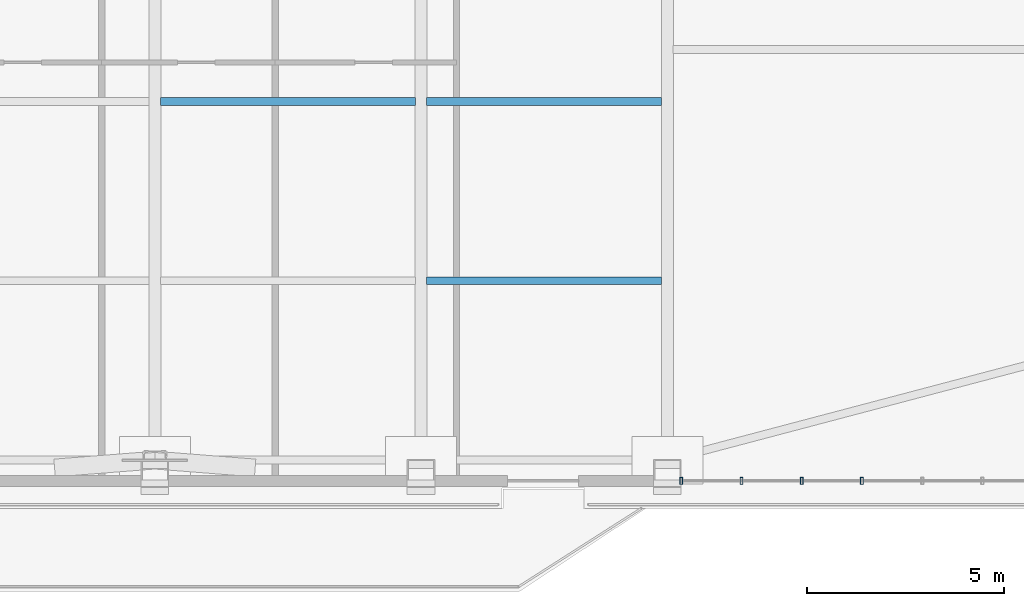
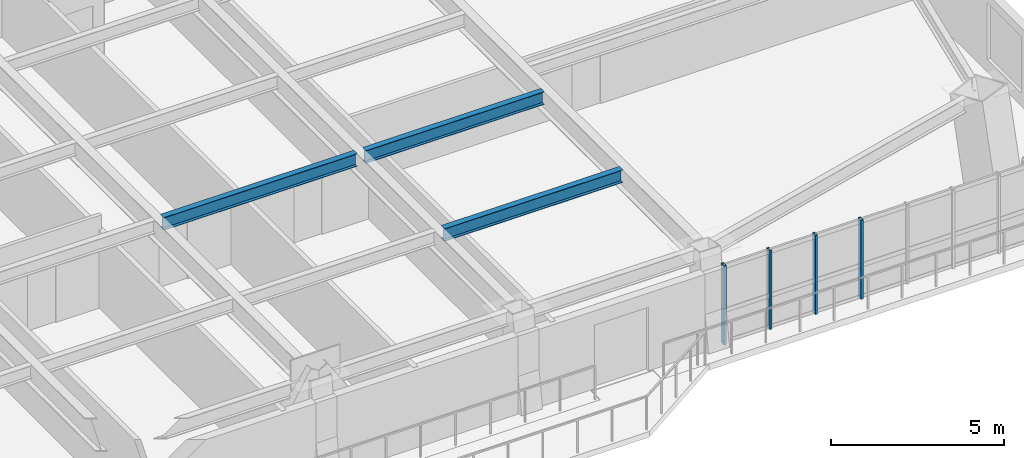
# One storey, part 4 of 15: 4 members, 3 beams, 1 element without a shape of its own.
"""IFC4 building model written with IfcOpenShell, lengths in metres."""

import ifcopenshell
import ifcopenshell.guid

model = None  # the IFC model being written
_history = None  # IfcOwnerHistory: only IFC2X3 demands one
_inside = {}  # id of a spatial element -> (the spatial element, [elements in it])
_under = {}  # id of a project, library or spatial element -> (it, [spatial elements below it])
_declared = {}  # id of a project -> (the project, [libraries it declares])
_typed = {}  # id of a type object -> (the type object, [elements of that type])
_made_of = {}  # id of a material, layer set ... -> (it, [elements and type objects made of it])


def new_model(schema):
    """Start an empty IFC model of exactly this schema.

    Asked for "IFC4X3", IfcOpenShell would pick the latest addendum, in which some entities
    have other attributes; the version numbers below select the first issue.
    IFC2X3 requires an IfcOwnerHistory on every rooted entity: one is made here for all.
    """
    global model, _history
    if schema == "IFC4X3":
        model = ifcopenshell.file(schema_version=(4, 3, 0, 0))
    else:
        model = ifcopenshell.file(schema=schema)
    _inside.clear()
    _under.clear()
    _declared.clear()
    _typed.clear()
    _made_of.clear()
    _history = None
    if model.schema == "IFC2X3":
        org = make("IfcOrganization", Name="unknown")
        user = make(
            "IfcPersonAndOrganization",
            ThePerson=make("IfcPerson", FamilyName="unknown"),
            TheOrganization=org,
        )
        app = make(
            "IfcApplication",
            ApplicationDeveloper=org,
            Version="unknown",
            ApplicationFullName="unknown",
            ApplicationIdentifier="unknown",
        )
        _history = make(
            "IfcOwnerHistory",
            OwningUser=user,
            OwningApplication=app,
            ChangeAction="ADDED",
            CreationDate=0,
        )
    return model


def make(cls, **values):
    """One entity of the class cls with the attributes given. An attribute that is None is left unset."""
    return model.create_entity(
        cls, **{name: value for name, value in values.items() if value is not None}
    )


def rooted(cls, **values):
    """An entity with a GlobalId (a new one), such as an element, a storey or a relation."""
    return make(cls, GlobalId=ifcopenshell.guid.new(), OwnerHistory=_history, **values)


def si_unit(unit_type, name, prefix=None):
    """IfcSIUnit, for example si_unit("LENGTHUNIT", "METRE", prefix="MILLI")."""
    return make("IfcSIUnit", UnitType=unit_type, Prefix=prefix, Name=name)


def assignment(units):
    """IfcUnitAssignment: the units of a project."""
    return None if units is None else make("IfcUnitAssignment", Units=units)


def point(xyz):
    """IfcCartesianPoint."""
    return None if xyz is None else make("IfcCartesianPoint", Coordinates=xyz)


def direction(xyz):
    """IfcDirection."""
    return None if xyz is None else make("IfcDirection", DirectionRatios=xyz)


def frame(location, z_axis=None, x_axis=None):
    """IfcAxis2Placement3D, a coordinate frame: its origin and axes. An axis left out is left unset."""
    return make(
        "IfcAxis2Placement3D",
        Location=point(location),
        Axis=direction(z_axis),
        RefDirection=direction(x_axis),
    )


def frame_2d(location, x_axis=None):
    """IfcAxis2Placement2D, a coordinate frame in the plane: its origin and x axis."""
    return make(
        "IfcAxis2Placement2D", Location=point(location), RefDirection=direction(x_axis)
    )


def origin():
    """The frame at (0, 0, 0) with its axes left unset."""
    return frame((0.0, 0.0, 0.0))


def origin_2d():
    """The frame at (0, 0) in the plane with its x axis left unset."""
    return frame_2d((0.0, 0.0))


def place(relative_to, where):
    """IfcLocalPlacement: puts the frame where relative to a parent placement (None: the world)."""
    return make(
        "IfcLocalPlacement", PlacementRelTo=relative_to, RelativePlacement=where
    )


def context(
    kind, dimensions, precision=None, world=None, true_north=None, identifier=None
):
    """IfcGeometricRepresentationContext, for example the 3D "Model" context."""
    return make(
        "IfcGeometricRepresentationContext",
        ContextIdentifier=identifier,
        ContextType=kind,
        CoordinateSpaceDimension=dimensions,
        Precision=precision,
        WorldCoordinateSystem=world,
        TrueNorth=true_north,
    )


def subcontext(parent, identifier, kind, view, scale=None):
    """IfcGeometricRepresentationSubContext, for example "Body" below "Model"."""
    return make(
        "IfcGeometricRepresentationSubContext",
        ContextIdentifier=identifier,
        ContextType=kind,
        ParentContext=parent,
        TargetScale=scale,
        TargetView=view,
    )


def project(units=None, contexts=None):
    """IfcProject with its units and contexts."""
    return rooted(
        "IfcProject",
        Name="project",
        RepresentationContexts=contexts,
        UnitsInContext=assignment(units),
    )


def spatial(cls, under=None, at=None, **own):
    """A site, building, storey or space (cls), placed at a placement, below another one or the project."""
    s = rooted(cls, ObjectPlacement=at, **own)
    if under is not None:
        _under.setdefault(under.id(), (under, []))[1].append(s)
    return s


def profile(cls, at=None, kind="AREA", **sizes):
    """A parametric profile (cls). Its sizes go by their IFC names, for example OverallWidth=200.0."""
    return make(cls, ProfileType=kind, Position=at, **sizes)


def hollow_rectangle(**sizes):
    """IfcRectangleHollowProfileDef."""
    return profile("IfcRectangleHollowProfileDef", **sizes)


def i_section(**sizes):
    """IfcIShapeProfileDef."""
    return profile("IfcIShapeProfileDef", **sizes)


def extrude(swept, where, along, depth):
    """IfcExtrudedAreaSolid: the profile swept, set in the frame where, extruded along a direction by depth."""
    return make(
        "IfcExtrudedAreaSolid",
        SweptArea=swept,
        Position=where,
        ExtrudedDirection=direction(along),
        Depth=depth,
    )


def shape(context_of_items, identifier, shape_type, items):
    """IfcShapeRepresentation: the items that make up one representation, for example the "Body"."""
    return make(
        "IfcShapeRepresentation",
        ContextOfItems=context_of_items,
        RepresentationIdentifier=identifier,
        RepresentationType=shape_type,
        Items=items,
    )


def source(mapping_origin, context_of_items, identifier, shape_type, items):
    """IfcRepresentationMap: a shape defined once, which mapped items show again and again."""
    return make(
        "IfcRepresentationMap",
        MappingOrigin=mapping_origin,
        MappedRepresentation=shape(context_of_items, identifier, shape_type, items),
    )


def transform(
    local_origin,
    x_axis=None,
    y_axis=None,
    z_axis=None,
    scale=None,
    scale2=None,
    scale3=None,
    uniform=True,
):
    """IfcCartesianTransformationOperator3D, or its non-uniform kind. x_axis, y_axis, z_axis: its Axis1, 2, 3."""
    if uniform:
        return make(
            "IfcCartesianTransformationOperator3D",
            Axis1=direction(x_axis),
            Axis2=direction(y_axis),
            LocalOrigin=point(local_origin),
            Scale=scale,
            Axis3=direction(z_axis),
        )
    return make(
        "IfcCartesianTransformationOperator3DnonUniform",
        Axis1=direction(x_axis),
        Axis2=direction(y_axis),
        LocalOrigin=point(local_origin),
        Scale=scale,
        Axis3=direction(z_axis),
        Scale2=scale2,
        Scale3=scale3,
    )


def mapped(mapping_source, mapping_target):
    """IfcMappedItem: shows the shape of a source again, moved by a transform."""
    return make(
        "IfcMappedItem", MappingSource=mapping_source, MappingTarget=mapping_target
    )


def material(Name=None, Category=None):
    """IfcMaterial."""
    return make("IfcMaterial", Name=Name, Category=Category)


def layer(
    of_material, thickness, ventilated=None, Name=None, Category=None, Priority=None
):
    """IfcMaterialLayer: one layer of a wall or slab, of a material (None: an air gap)."""
    return make(
        "IfcMaterialLayer",
        Material=of_material,
        LayerThickness=thickness,
        IsVentilated=ventilated,
        Name=Name,
        Category=Category,
        Priority=Priority,
    )


def layer_set(layers, Name=None):
    """IfcMaterialLayerSet."""
    return make("IfcMaterialLayerSet", MaterialLayers=layers, LayerSetName=Name)


def material_profile(
    of_material, cross_section, Name=None, Category=None, Priority=None
):
    """IfcMaterialProfile: a cross section and its material."""
    return make(
        "IfcMaterialProfile",
        Name=Name,
        Material=of_material,
        Profile=cross_section,
        Priority=Priority,
        Category=Category,
    )


def profile_set(profiles, Name=None, composite=None):
    """IfcMaterialProfileSet."""
    return make(
        "IfcMaterialProfileSet",
        Name=Name,
        MaterialProfiles=profiles,
        CompositeProfile=composite,
    )


def made_of(thing, what):
    """Note that an element or type object is made of a material, layer set ...; save() writes the relation."""
    if what is not None:
        _made_of.setdefault(what.id(), (what, []))[1].append(thing)
    return thing


def type_object(cls, material=None, **own):
    """A type object (cls), such as IfcWallType, which elements share."""
    return made_of(rooted(cls, **own), material)


def element(
    cls,
    number,
    at=None,
    inside=None,
    cuts=None,
    type_object=None,
    material=None,
    context=None,
    identifier="Body",
    shape_type=None,
    held_by="IfcProductDefinitionShape",
    body=None,
    shapes=None,
    **own,
):
    """One element of the class cls, such as IfcWall. Its Tag is "e" and its number.

    at: its placement. inside: the storey or other place that contains it. cuts: it is an
    opening in that element (IfcRelVoidsElement). A single representation is given by context,
    identifier, shape_type and body (its items); several are given by shapes. held_by: the class
    of the entity that holds the representations. save() writes the other relations.
    """
    e = rooted(cls, Tag="e%d" % number, ObjectPlacement=at, **own)
    if body is not None:
        shapes = [shape(context, identifier, shape_type, body)]
    if shapes is not None:
        e.Representation = make(held_by, Representations=shapes)
    if inside is not None:
        _inside.setdefault(inside.id(), (inside, []))[1].append(e)
    if cuts is not None:
        rooted(
            "IfcRelVoidsElement", RelatingBuildingElement=cuts, RelatedOpeningElement=e
        )
    if type_object is not None:
        _typed.setdefault(type_object.id(), (type_object, []))[1].append(e)
    return made_of(e, material)


def aggregate(whole, parts):
    """IfcRelAggregates: a whole, such as a stair, and the parts it consists of."""
    return rooted("IfcRelAggregates", RelatingObject=whole, RelatedObjects=parts)


def save(model, path):
    """Write the relations noted so far, then the file.

    IfcRelAggregates (storeys below a building ...), IfcRelContainedInSpatialStructure (elements
    in a storey), IfcRelDefinesByType, IfcRelAssociatesMaterial and IfcRelDeclares: one each for
    every whole, place, type object, material and project.
    """
    for whole, parts in _under.values():
        aggregate(whole, parts)
    for where, things in _inside.values():
        rooted(
            "IfcRelContainedInSpatialStructure",
            RelatedElements=things,
            RelatingStructure=where,
        )
    for kind, things in _typed.values():
        rooted("IfcRelDefinesByType", RelatedObjects=things, RelatingType=kind)
    for what, things in _made_of.values():
        rooted("IfcRelAssociatesMaterial", RelatedObjects=things, RelatingMaterial=what)
    for by, libraries in _declared.values():
        rooted("IfcRelDeclares", RelatingContext=by, RelatedDefinitions=libraries)
    model.write(path)


model = new_model("IFC4")

# Units and contexts
model_context = context("Model", 3, precision=1e-05, world=origin(), true_north=direction((0.0, 1.0)))
body_context = subcontext(model_context, "Body", "Model", "MODEL_VIEW")
ifc_project = project(units=[si_unit("LENGTHUNIT", "METRE"), si_unit("AREAUNIT", "SQUARE_METRE"), si_unit("VOLUMEUNIT", "CUBIC_METRE"), si_unit("PLANEANGLEUNIT", "RADIAN"), si_unit("MASSUNIT", "GRAM", prefix="KILO")], contexts=[model_context])

# Site, building, storey
site_placement = place(None, origin())
site = spatial("IfcSite", under=ifc_project, at=site_placement, CompositionType="ELEMENT")
building_placement = place(site_placement, origin())
building = spatial("IfcBuilding", under=site, at=building_placement, Name="Giltprow Tower", CompositionType="ELEMENT")
storey_placement = place(building_placement, frame((0.0, 0.0, 177.199951171875)))
storey = spatial("IfcBuildingStorey", under=building, at=storey_placement, Name="L44", CompositionType="ELEMENT", Elevation=177.199951171875)

# Beams
ifc_material_1 = material(Name="Structural steel Q355B", Category="steel")
ifc_material_profile_1 = material_profile(ifc_material_1, i_section(OverallWidth=0.199951171875, OverallDepth=0.449951171875, WebThickness=0.009033203125, FlangeThickness=0.013916015625, at=origin_2d()), Name="HN 450x200x9x14")
ifc_profile_set_1 = profile_set([ifc_material_profile_1], Name="Structural steel Q355B")
beam_type = type_object("IfcBeamType", Name="BM-JOIST-HN450", PredefinedType="JOIST", material=ifc_profile_set_1)
shared_shape_1 = source(origin(), body_context, "Body", "SweptSolid", [
    extrude(i_section(OverallWidth=0.199951171875, OverallDepth=0.449951171875, WebThickness=0.009033203125, FlangeThickness=0.013916015625, at=origin_2d()), origin(), (0.0, 0.0, 1.0), 6.4599609375),
])
beam_placement = place(storey_placement, frame((37.695068359375, 19.2529296875, 3.045166015625), z_axis=(1.0, 0.0, 0.0), x_axis=(0.0, 1.0, 0.0)))
element("IfcBeam", 1, at=beam_placement, inside=storey, type_object=beam_type, Name="L44 Composite Floor Joist 2-3", PredefinedType="JOIST", context=body_context, shape_type="MappedRepresentation", body=[
    mapped(shared_shape_1, transform((0.0, 0.0, 0.0), x_axis=(1.0, 0.0, 0.0), y_axis=(0.0, 1.0, 0.0), z_axis=(0.0, 0.0, 1.0), scale=1.0)),
])
shared_shape_2 = source(origin(), body_context, "Body", "SweptSolid", [
    extrude(i_section(OverallWidth=0.199951171875, OverallDepth=0.449951171875, WebThickness=0.009033203125, FlangeThickness=0.013916015625, at=origin_2d()), origin(), (0.0, 0.0, 1.0), 5.9599609375),
])
for number, where, z_axis, x_axis, name in (
    (2, (44.445068359375, 14.702880859375, 3.045166015625), (1.0, 0.0, 0.0), (0.0, 1.0, 0.0), "L44 Composite Floor Joist 1-4"),
    (3, (44.445068359375, 19.2529296875, 3.045166015625), (1.0, 0.0, 0.0), (0.0, 1.0, 0.0), "L44 Composite Floor Joist 2-4"),
):
    element("IfcBeam", number, at=place(storey_placement, frame(where, z_axis=z_axis, x_axis=x_axis)), inside=storey, type_object=beam_type, Name=name, PredefinedType="JOIST", context=body_context, shape_type="MappedRepresentation", body=[
        mapped(shared_shape_2, transform((0.0, 0.0, 0.0), x_axis=(1.0, 0.0, 0.0), y_axis=(0.0, 1.0, 0.0), z_axis=(0.0, 0.0, 1.0), scale=1.0)),
    ])

# Curtain wall, members
ifc_material_2 = material(Name="Anodized bronze", Category="metal")
ifc_layer = layer(ifc_material_2, 0.179931640625, Name="Anodized bronze")
ifc_layer_set = layer_set([ifc_layer], Name="Anodized bronze")
curtain_wall_type = type_object("IfcCurtainWallType", Name="CW-HTL-BRONZE", PredefinedType="NOTDEFINED", material=ifc_layer_set)
curtain_wall_placement = place(storey_placement, origin())
curtain_wall = element("IfcCurtainWall", 4, at=curtain_wall_placement, inside=storey, type_object=curtain_wall_type, Name="L44 South Recessed Curtain Wall 6", PredefinedType="NOTDEFINED")
ifc_material_profile_2 = material_profile(ifc_material_2, hollow_rectangle(XDim=0.074951171875, YDim=0.179931640625, WallThickness=0.008056640625, at=origin_2d()), Name="RHS 180x75x8")
ifc_profile_set_2 = profile_set([ifc_material_profile_2], Name="Anodized bronze")
member_type = type_object("IfcMemberType", Name="CW-MULLION-180x75", PredefinedType="MULLION", material=ifc_profile_set_2)
shared_shape_3 = source(origin(), body_context, "Body", "SweptSolid", [
    extrude(hollow_rectangle(XDim=0.074951171875, YDim=0.179931640625, WallThickness=0.008056640625, at=origin_2d()), origin(), (0.0, 0.0, 1.0), 2.80517578125),
])
member_1_placement = place(storey_placement, frame((50.89990234375, 9.6259765625, -0.02001953125), z_axis=(0.0, 0.0, 1.0), x_axis=(1.0, 0.0, 0.0)))
member_1 = element("IfcMember", 5, at=member_1_placement, type_object=member_type, Name="L44 South Recessed Curtain Wall 6 Mullion 1", PredefinedType="MULLION", context=body_context, shape_type="MappedRepresentation", body=[
    mapped(shared_shape_3, transform((0.0, 0.0, 0.0), x_axis=(1.0, 0.0, 0.0), y_axis=(0.0, 1.0, 0.0), z_axis=(0.0, 0.0, 1.0), scale=1.0)),
])
member_2_placement = place(storey_placement, frame((52.427978515625, 9.6259765625, -0.02001953125), z_axis=(0.0, 0.0, 1.0), x_axis=(1.0, 0.0, 0.0)))
member_2 = element("IfcMember", 6, at=member_2_placement, type_object=member_type, Name="L44 South Recessed Curtain Wall 6 Mullion 2", PredefinedType="MULLION", context=body_context, shape_type="MappedRepresentation", body=[
    mapped(shared_shape_3, transform((0.0, 0.0, 0.0), x_axis=(1.0, 0.0, 0.0), y_axis=(0.0, 1.0, 0.0), z_axis=(0.0, 0.0, 1.0), scale=1.0)),
])
member_3_placement = place(storey_placement, frame((53.955078125, 9.6259765625, -0.02001953125), z_axis=(0.0, 0.0, 1.0), x_axis=(1.0, 0.0, 0.0)))
member_3 = element("IfcMember", 7, at=member_3_placement, type_object=member_type, Name="L44 South Recessed Curtain Wall 6 Mullion 3", PredefinedType="MULLION", context=body_context, shape_type="MappedRepresentation", body=[
    mapped(shared_shape_3, transform((0.0, 0.0, 0.0), x_axis=(1.0, 0.0, 0.0), y_axis=(0.0, 1.0, 0.0), z_axis=(0.0, 0.0, 1.0), scale=1.0)),
])
member_4_placement = place(storey_placement, frame((55.48291015625, 9.6259765625, -0.02001953125), z_axis=(0.0, 0.0, 1.0), x_axis=(1.0, 0.0, 0.0)))
member_4 = element("IfcMember", 8, at=member_4_placement, type_object=member_type, Name="L44 South Recessed Curtain Wall 6 Mullion 4", PredefinedType="MULLION", context=body_context, shape_type="MappedRepresentation", body=[
    mapped(shared_shape_3, transform((0.0, 0.0, 0.0), x_axis=(1.0, 0.0, 0.0), y_axis=(0.0, 1.0, 0.0), z_axis=(0.0, 0.0, 1.0), scale=1.0)),
])
aggregate(curtain_wall, [member_1, member_2, member_3, member_4])

save(model, "model.ifc")
